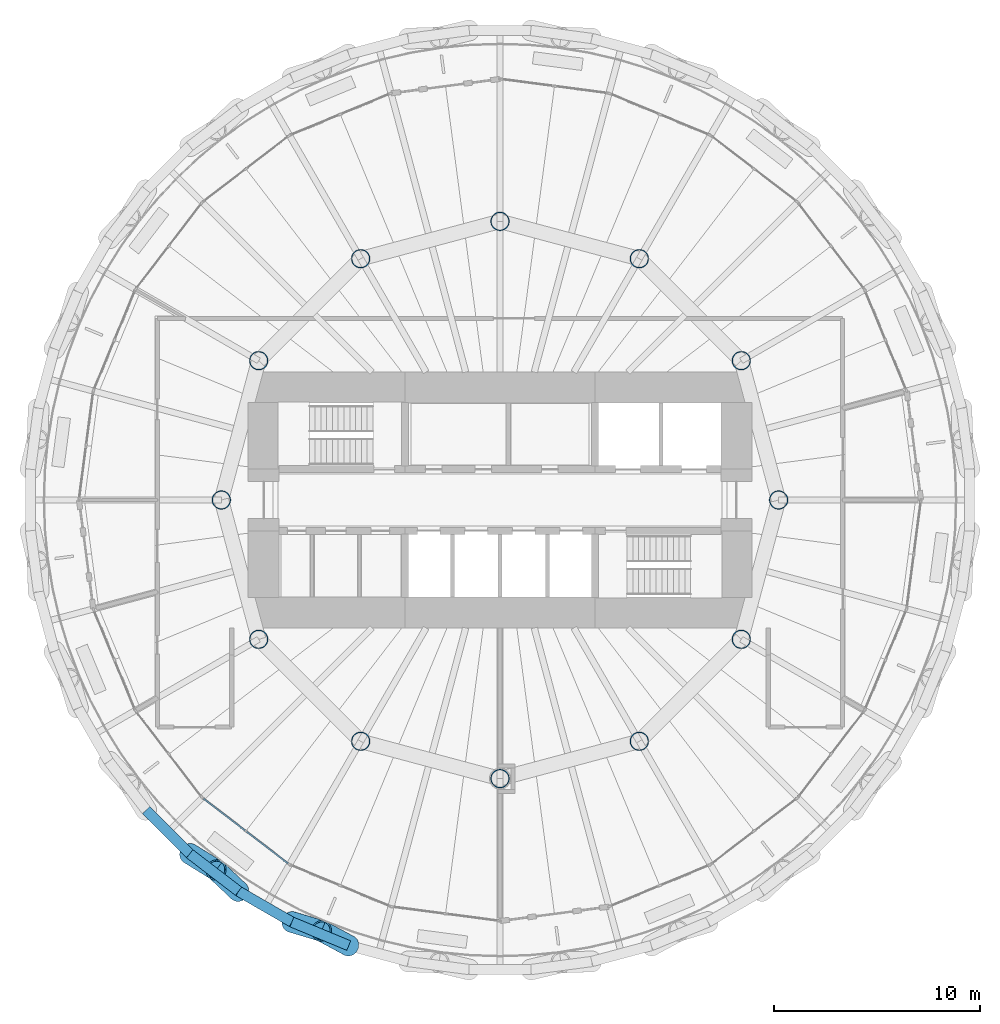
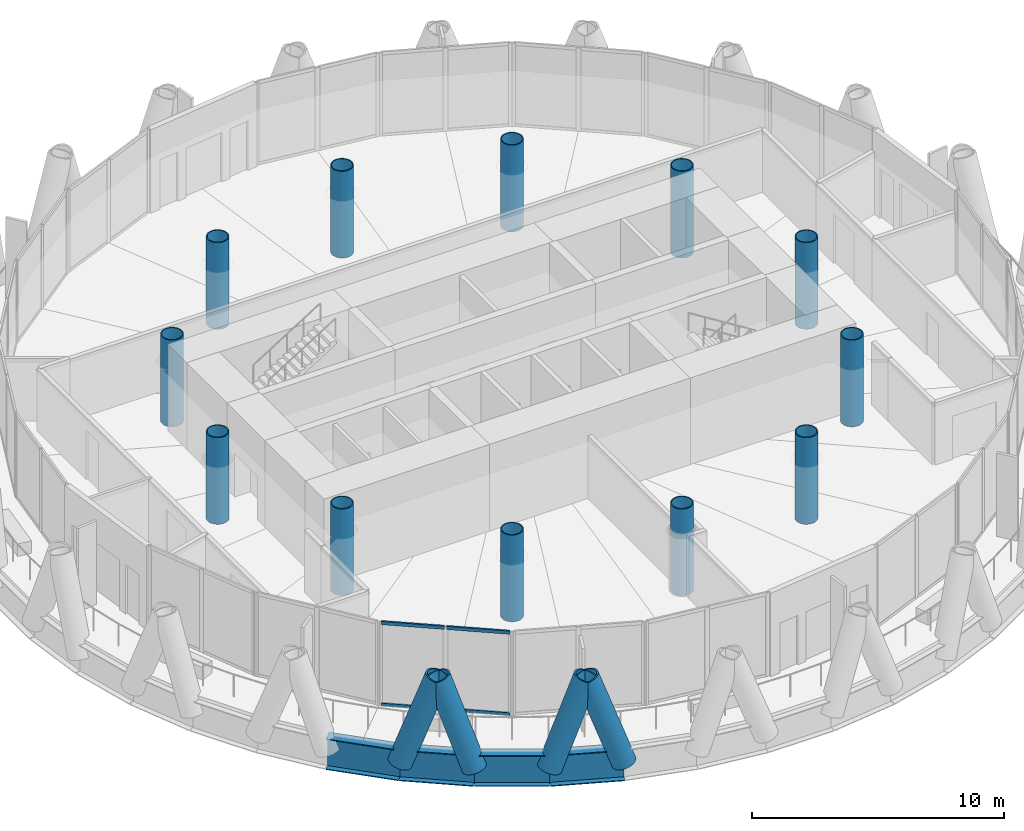
# One storey, part 1 of 14: 12 columns, 8 members, 4 beams, 1 element without a shape of its own.
"""IFC4 building model written with IfcOpenShell, lengths in metres."""

from ifc_helpers import new_model, si_unit, direction, frame, origin, origin_2d, place, context, subcontext, project, spatial, rectangle, hollow_circle, i_section, extrude, material, material_profile, profile_set, type_object, element, aggregate, save


model = new_model("IFC4")

# Units and contexts
model_context = context("Model", 3, precision=1e-05, world=origin(), true_north=direction((0.0, 1.0)))
body_context = subcontext(model_context, "Body", "Model", "MODEL_VIEW")
ifc_project = project(units=[si_unit("LENGTHUNIT", "METRE"), si_unit("AREAUNIT", "SQUARE_METRE"), si_unit("VOLUMEUNIT", "CUBIC_METRE"), si_unit("PLANEANGLEUNIT", "RADIAN"), si_unit("MASSUNIT", "GRAM", prefix="KILO")], contexts=[model_context])

# Site, building, storey
site_placement = place(None, origin())
site = spatial("IfcSite", under=ifc_project, at=site_placement, CompositionType="ELEMENT")
building_placement = place(site_placement, origin())
building = spatial("IfcBuilding", under=site, at=building_placement, Name="Qaws Media Tower", CompositionType="ELEMENT")
storey_placement = place(building_placement, frame((0.0, 0.0, 215.0)))
storey = spatial("IfcBuildingStorey", under=building, at=storey_placement, Name="L49", CompositionType="ELEMENT", Elevation=215.0)

# Columns
ifc_material_1 = material(Name="Steel S460", Category="steel")
ifc_material_profile_1 = material_profile(ifc_material_1, hollow_circle(Radius=0.45703125, WallThickness=0.044921875, at=origin_2d()), Name="CHS 914x45")
ifc_profile_set_1 = profile_set([ifc_material_profile_1], Name="Steel S460")
column_type = type_object("IfcColumnType", Name="Inner column CHS 914x45", PredefinedType="COLUMN", material=ifc_profile_set_1)
for number, where, z_axis, x_axis, name in (
    (1, (73.5, 50.0, 0.0), (0.0, 0.0, 1.0), (1.0, 0.0, 0.0), "C3 inner column I01 L49"),
    (2, (71.69140625, 56.75, 0.0), (0.0, 0.0, 1.0), (1.0, 0.0, 0.0), "C3 inner column I02 L49"),
    (3, (66.75, 61.69140625, 0.0), (0.0, 0.0, 1.0), (1.0, 0.0, 0.0), "C3 inner column I03 L49"),
    (4, (60.0, 63.5, 0.0), (0.0, 0.0, 1.0), (1.0, 0.0, 0.0), "C3 inner column I04 L49"),
    (5, (53.25, 61.69140625, 0.0), (0.0, 0.0, 1.0), (1.0, 0.0, 0.0), "C3 inner column I05 L49"),
    (6, (48.30859375, 56.75, 0.0), (0.0, 0.0, 1.0), (1.0, 0.0, 0.0), "C3 inner column I06 L49"),
    (7, (46.5, 50.0, 0.0), (0.0, 0.0, 1.0), (1.0, 0.0, 0.0), "C3 inner column I07 L49"),
    (8, (48.30859375, 43.25, 0.0), (0.0, 0.0, 1.0), (1.0, 0.0, 0.0), "C3 inner column I08 L49"),
    (9, (53.25, 38.30859375, 0.0), (0.0, 0.0, 1.0), (1.0, 0.0, 0.0), "C3 inner column I09 L49"),
    (10, (60.0, 36.5, 0.0), (0.0, 0.0, 1.0), (1.0, 0.0, 0.0), "C3 inner column I10 L49"),
    (11, (66.75, 38.30859375, 0.0), (0.0, 0.0, 1.0), (1.0, 0.0, 0.0), "C3 inner column I11 L49"),
    (12, (71.69140625, 43.25, 0.0), (0.0, 0.0, 1.0), (1.0, 0.0, 0.0), "C3 inner column I12 L49"),
):
    element("IfcColumn", number, at=place(storey_placement, frame(where, z_axis=z_axis, x_axis=x_axis)), inside=storey, type_object=column_type, Name=name, PredefinedType="COLUMN", context=body_context, shape_type="SweptSolid", body=[
        extrude(hollow_circle(Radius=0.45703125, WallThickness=0.044921875, at=origin_2d()), origin(), (0.0, 0.0, 1.0), 4.199951171875),
    ])

# Curtain wall, members
ifc_material_2 = material(Name="Aluminium and clear glass", Category="aluminium")
curtain_wall_type = type_object("IfcCurtainWallType", Name="Unitised curtain wall CW-C", PredefinedType="NOTDEFINED", material=ifc_material_2)
curtain_wall_placement = place(storey_placement, origin())
curtain_wall = element("IfcCurtainWall", 13, at=curtain_wall_placement, inside=storey, type_object=curtain_wall_type, Name="CWC curtain wall L49-16", PredefinedType="NOTDEFINED")
ifc_material_3 = material(Name="Aluminium transom", Category="aluminium")
ifc_material_profile_2 = material_profile(ifc_material_3, rectangle(XDim=0.080078125, YDim=0.159912109375, at=origin_2d()), Name="80x160")
ifc_profile_set_2 = profile_set([ifc_material_profile_2], Name="Aluminium transom")
member_type_1 = type_object("IfcMemberType", Name="Curtain wall transom 80x160", PredefinedType="USERDEFINED", material=ifc_profile_set_2)
member_1_placement = place(storey_placement, frame((45.638427734375, 35.5263671875, 0.0400390625), z_axis=(0.793372950567, -0.608735871547, 0.0), x_axis=(0.608735871547, 0.793372950567, 0.0)))
member_1 = element("IfcMember", 14, at=member_1_placement, type_object=member_type_1, Name="CWC transom 1.1", ObjectType="TRANSOM", PredefinedType="USERDEFINED", context=body_context, shape_type="SweptSolid", body=[
    extrude(rectangle(XDim=0.080078125, YDim=0.159912109375, at=origin_2d()), origin(), (0.0, 0.0, 1.0), 2.542724609375),
])
member_2_placement = place(storey_placement, frame((45.638427734375, 35.5263671875, 4.0), z_axis=(0.793372950567, -0.608735871547, 0.0), x_axis=(0.608735871547, 0.793372950567, 0.0)))
member_2 = element("IfcMember", 15, at=member_2_placement, type_object=member_type_1, Name="CWC transom 1.2", ObjectType="TRANSOM", PredefinedType="USERDEFINED", context=body_context, shape_type="SweptSolid", body=[
    extrude(rectangle(XDim=0.080078125, YDim=0.159912109375, at=origin_2d()), origin(), (0.0, 0.0, 1.0), 2.542724609375),
])
member_3_placement = place(storey_placement, frame((47.71923828125, 33.9296875, 0.0400390625), z_axis=(0.793372950567, -0.608735871547, 0.0), x_axis=(0.608735871547, 0.793372950567, 0.0)))
member_3 = element("IfcMember", 16, at=member_3_placement, type_object=member_type_1, Name="CWC transom 2.1", ObjectType="TRANSOM", PredefinedType="USERDEFINED", context=body_context, shape_type="SweptSolid", body=[
    extrude(rectangle(XDim=0.080078125, YDim=0.159912109375, at=origin_2d()), origin(), (0.0, 0.0, 1.0), 2.542724609375),
])
member_4_placement = place(storey_placement, frame((47.71923828125, 33.9296875, 4.0), z_axis=(0.793372950567, -0.608735871547, 0.0), x_axis=(0.608735871547, 0.793372950567, 0.0)))
member_4 = element("IfcMember", 17, at=member_4_placement, type_object=member_type_1, Name="CWC transom 2.2", ObjectType="TRANSOM", PredefinedType="USERDEFINED", context=body_context, shape_type="SweptSolid", body=[
    extrude(rectangle(XDim=0.080078125, YDim=0.159912109375, at=origin_2d()), origin(), (0.0, 0.0, 1.0), 2.542724609375),
])
aggregate(curtain_wall, [member_1, member_2, member_3, member_4])

# Members
ifc_material_4 = material(Name="Steel S460", Category="steel")
ifc_material_profile_3 = material_profile(ifc_material_4, hollow_circle(Radius=0.508056640625, WallThickness=0.070068359375, at=origin_2d()), Name="CHS 1016x70")
ifc_profile_set_3 = profile_set([ifc_material_profile_3], Name="Steel S460")
member_type_2 = type_object("IfcMemberType", Name="Diagrid member CHS 1016x70", PredefinedType="USERDEFINED", material=ifc_profile_set_3)
for number, where, z_axis, x_axis, name in (
    (18, (44.966796875, 32.858154296875, -0.909912109375), (0.285945501769, -0.176669755736, 0.941818967438), (0.525614245055, 0.850723025077, 0.0), "DG3 diagrid L49 A16"),
    (19, (49.915771484375, 29.55126953125, -0.909912109375), (0.321916275076, -0.096629630188, 0.941824095259), (0.287497320601, 0.957781442004, 0.0), "DG3 diagrid L49 A17"),
    (20, (47.3330078125, 31.04248046875, -0.909912109375), (-0.244664958727, 0.230485450042, 0.941815011183), (-0.685699937785, -0.727884328257, 0.0), "DG3 diagrid L49 B17"),
    (21, (52.671142578125, 28.409912109375, -0.909912109375), (-0.295964412888, 0.159314917038, 0.941819421924), (-0.473983261945, -0.880533853634, 0.0), "DG3 diagrid L49 B18"),
):
    element("IfcMember", number, at=place(storey_placement, frame(where, z_axis=z_axis, x_axis=x_axis)), inside=storey, type_object=member_type_2, Name=name, ObjectType="DIAGRID", PredefinedType="USERDEFINED", context=body_context, shape_type="SweptSolid", body=[
        extrude(hollow_circle(Radius=0.508056640625, WallThickness=0.070068359375, at=origin_2d()), origin(), (0.0, 0.0, 1.0), 4.45947265625),
    ])

# Beams
ifc_material_5 = material(Name="Steel S460", Category="steel")
ifc_material_profile_4 = material_profile(ifc_material_5, i_section(OverallWidth=0.5, OverallDepth=1.5, WebThickness=0.02001953125, FlangeThickness=0.0400390625, at=origin_2d()), Name="PG 1500x500")
ifc_profile_set_4 = profile_set([ifc_material_profile_4], Name="Steel S460")
beam_type = type_object("IfcBeamType", Name="Edge ring beam PG 1500x500", PredefinedType="BEAM", material=ifc_profile_set_4)
beam_1_placement = place(storey_placement, frame((42.858154296875, 34.966796875, -0.909912109375), z_axis=(0.707106781187, -0.707106781187, 0.0), x_axis=(0.707106781187, 0.707106781187, 0.0)))
element("IfcBeam", 22, at=beam_1_placement, inside=storey, type_object=beam_type, Name="RB4 edge ring beam L49-30", PredefinedType="BEAM", context=body_context, shape_type="SweptSolid", body=[
    extrude(i_section(OverallWidth=0.5, OverallDepth=1.5, WebThickness=0.02001953125, FlangeThickness=0.0400390625, at=origin_2d()), origin(), (0.0, 0.0, 1.0), 2.982177734375),
])
beam_2_placement = place(storey_placement, frame((44.966796875, 32.858154296875, -0.909912109375), z_axis=(0.793350698159, -0.608764872287, 0.0), x_axis=(0.608764872287, 0.793350698159, 0.0)))
element("IfcBeam", 23, at=beam_2_placement, inside=storey, type_object=beam_type, Name="RB4 edge ring beam L49-31", PredefinedType="BEAM", context=body_context, shape_type="SweptSolid", body=[
    extrude(i_section(OverallWidth=0.5, OverallDepth=1.5, WebThickness=0.02001953125, FlangeThickness=0.0400390625, at=origin_2d()), origin(), (0.0, 0.0, 1.0), 2.982666015625),
])
for number, where, z_axis, x_axis, name in (
    (24, (47.3330078125, 31.04248046875, -0.909912109375), (0.866017906508, -0.500012985438, 0.0), (0.500012985438, 0.866017906508, 0.0), "RB4 edge ring beam L49-32"),
    (25, (49.915771484375, 29.55126953125, -0.909912109375), (0.923874156886, -0.382696410016, 0.0), (0.382696410016, 0.923874156886, 0.0), "RB4 edge ring beam L49-33"),
):
    element("IfcBeam", number, at=place(storey_placement, frame(where, z_axis=z_axis, x_axis=x_axis)), inside=storey, type_object=beam_type, Name=name, PredefinedType="BEAM", context=body_context, shape_type="SweptSolid", body=[
        extrude(i_section(OverallWidth=0.5, OverallDepth=1.5, WebThickness=0.02001953125, FlangeThickness=0.0400390625, at=origin_2d()), origin(), (0.0, 0.0, 1.0), 2.982421875),
    ])

save(model, "model.ifc")
